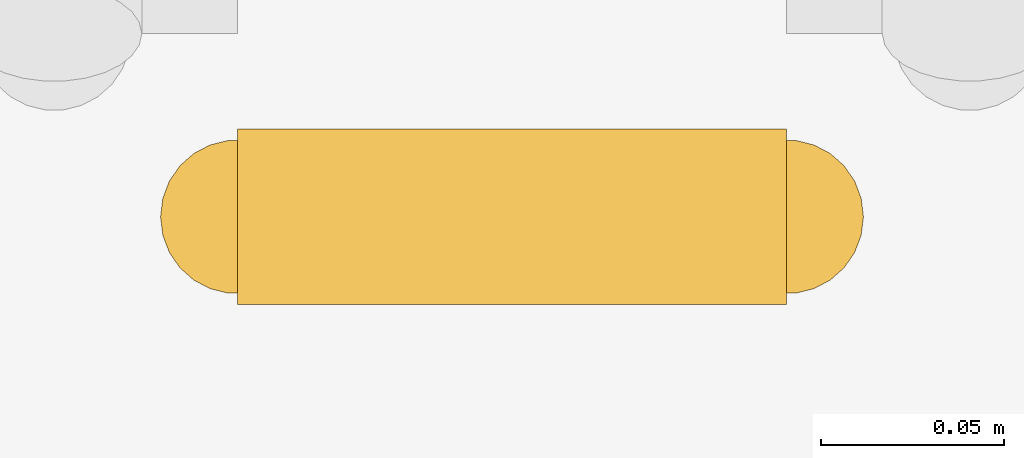
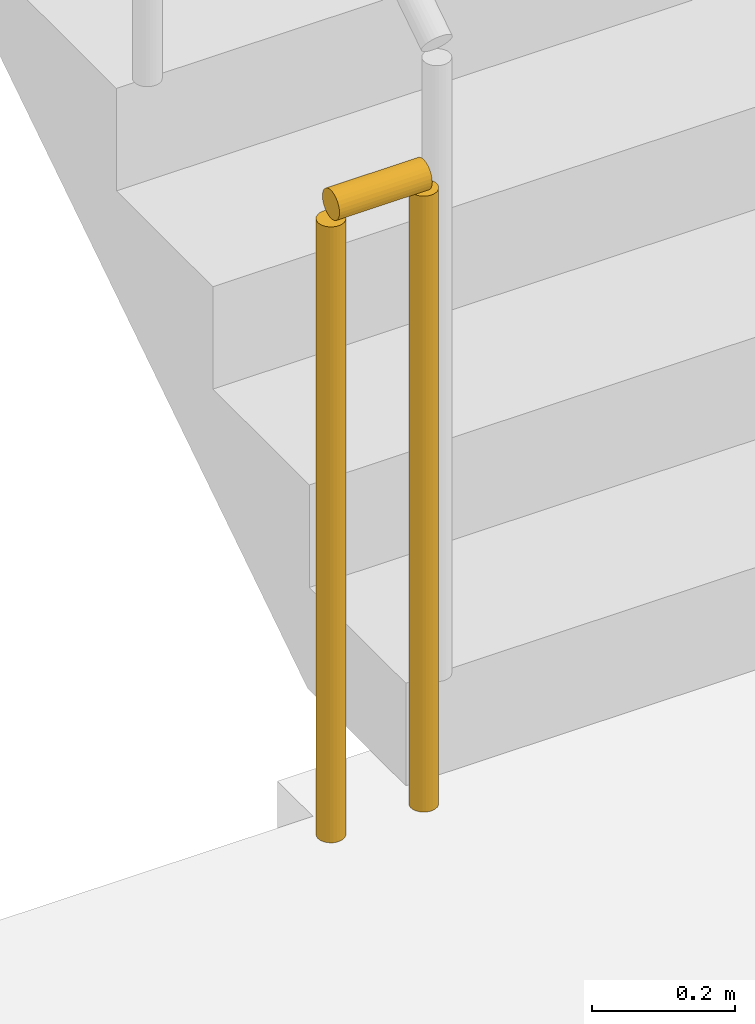
# One storey, part 17 of 20: 1 railing.
"""IFC4 building model written with IfcOpenShell, lengths in metres."""

from ifc_helpers import new_model, si_unit, direction, frame, origin, origin_2d, place, context, subcontext, project, spatial, circle, extrude, material, type_object, element, save


model = new_model("IFC4")

# Units and contexts
model_context = context("Model", 3, precision=1e-05, world=origin(), true_north=direction((0.0, 1.0)))
body_context = subcontext(model_context, "Body", "Model", "MODEL_VIEW")
ifc_project = project(units=[si_unit("LENGTHUNIT", "METRE"), si_unit("AREAUNIT", "SQUARE_METRE"), si_unit("VOLUMEUNIT", "CUBIC_METRE"), si_unit("PLANEANGLEUNIT", "RADIAN"), si_unit("MASSUNIT", "GRAM", prefix="KILO")], contexts=[model_context])

# Site, building, storey
site_placement = place(None, origin())
site = spatial("IfcSite", under=ifc_project, at=site_placement, CompositionType="ELEMENT")
building_placement = place(site_placement, origin())
building = spatial("IfcBuilding", under=site, at=building_placement, Name="Saffron Iwan Residences", CompositionType="ELEMENT")
storey_placement = place(building_placement, frame((0.0, 0.0, 202.5)))
storey = spatial("IfcBuildingStorey", under=building, at=storey_placement, Name="L54", CompositionType="ELEMENT", Elevation=202.5)

# Railing
ifc_material = material(Name="Steel S355", Category="steel")
railing_type = type_object("IfcRailingType", Name="Stair guard 1100", PredefinedType="GUARDRAIL", material=ifc_material)
railing_placement = place(storey_placement, frame((69.699951171875, 67.800048828125, 0.0)))
element("IfcRailing", 1, at=railing_placement, inside=storey, type_object=railing_type, Name="L54 ST-E stair guard 2", PredefinedType="GUARDRAIL", context=body_context, shape_type="SweptSolid", body=[
    extrude(circle(Radius=0.02392578125, at=origin_2d()), frame((0.0, 0.0, 1.076171875), z_axis=(-1.0, 0.0, 0.0), x_axis=(0.0, -1.0, 0.0)), (0.0, 0.0, 1.0), 0.14990234375),
    extrude(circle(Radius=0.02099609375, at=origin_2d()), origin(), (0.0, 0.0, 1.0), 1.052001953125),
    extrude(circle(Radius=0.02099609375, at=origin_2d()), frame((-0.14990234375, 0.0, 0.0)), (0.0, 0.0, 1.0), 1.052001953125),
])

save(model, "model.ifc")
